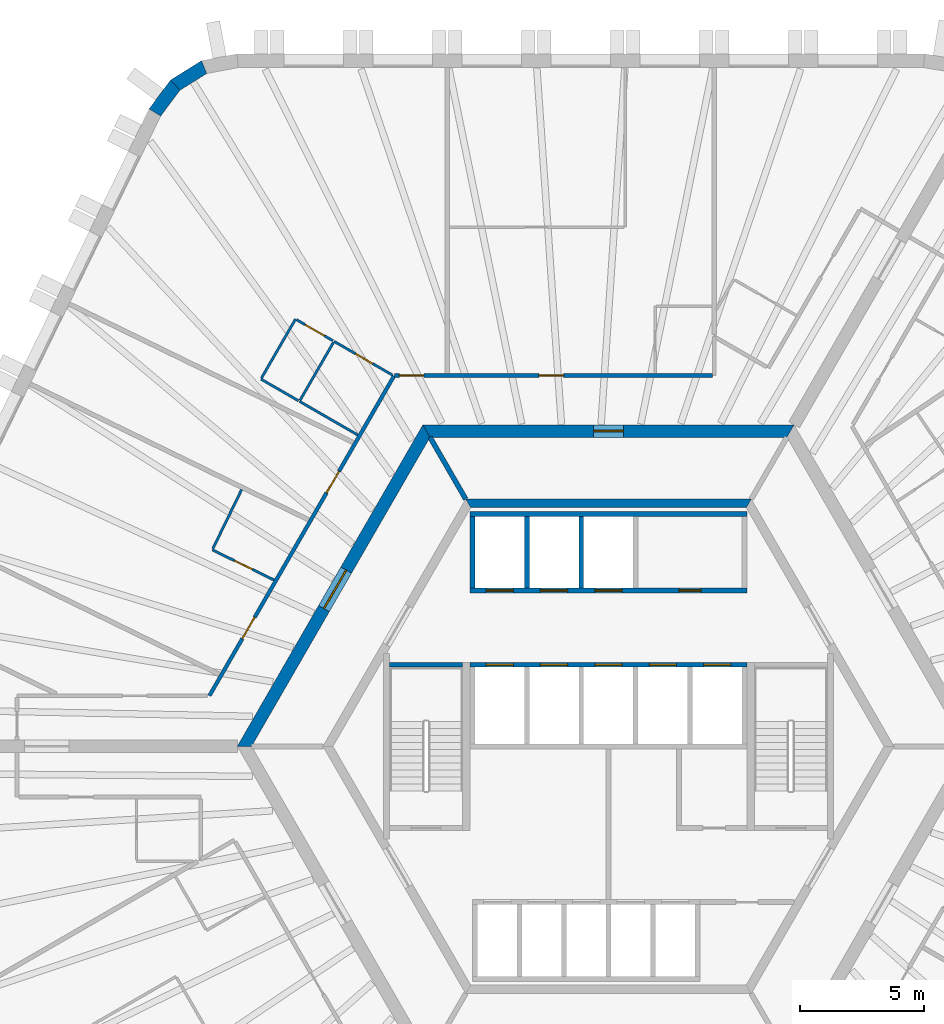
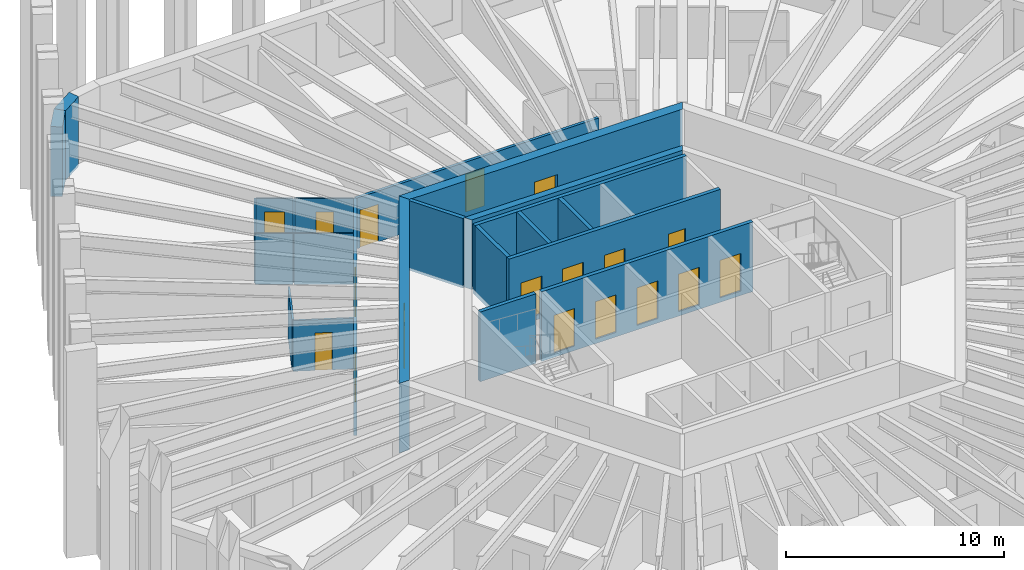
# One storey, part 7 of 10: 23 walls, 18 doors, 18 openings.
"""IFC4 building model written with IfcOpenShell, lengths in metres."""

from ifc_helpers import new_model, si_unit, direction, frame, frame_2d, origin, place, context, subcontext, project, spatial, polyline, rectangle, outline, extrude, material, layer, layer_set, type_object, element, fill, save


model = new_model("IFC4")

# Units and contexts
model_context = context("Model", 3, precision=1e-05, world=origin(), true_north=direction((0.0, 1.0)))
body_context = subcontext(model_context, "Body", "Model", "MODEL_VIEW")
ifc_project = project(units=[si_unit("LENGTHUNIT", "METRE"), si_unit("AREAUNIT", "SQUARE_METRE"), si_unit("VOLUMEUNIT", "CUBIC_METRE"), si_unit("PLANEANGLEUNIT", "RADIAN"), si_unit("MASSUNIT", "GRAM", prefix="KILO")], contexts=[model_context])

# Site, building, storey
site_placement = place(None, origin())
site = spatial("IfcSite", under=ifc_project, at=site_placement, CompositionType="ELEMENT")
building_placement = place(site_placement, origin())
building = spatial("IfcBuilding", under=site, at=building_placement, Name="Tarnside Tower", CompositionType="ELEMENT")
storey_placement = place(building_placement, frame((0.0, 0.0, 238.5)))
storey = spatial("IfcBuildingStorey", under=building, at=storey_placement, Name="L57", CompositionType="ELEMENT", Elevation=238.5)

# Wall
ifc_material_1 = material(Name="Gypsum board partition on steel studs", Category="steel")
ifc_layer_1 = layer(ifc_material_1, 0.10009765625)
ifc_layer_set_1 = layer_set([ifc_layer_1], Name="Bathroom wall 100")
wall_type_1 = type_object("IfcWallType", Name="Bathroom wall 100", PredefinedType="PARTITIONING", material=ifc_layer_set_1)
wall_1_placement = place(storey_placement, frame((-10.137939453125, 12.5908203125, 0.0), z_axis=(0.0, 0.0, 1.0), x_axis=(-0.866051307416, 0.49995513091, 0.0)))
element("IfcWall", 1, at=wall_1_placement, inside=storey, type_object=wall_type_1, Name="Bathroom wall 19062", PredefinedType="PARTITIONING", context=body_context, shape_type="SweptSolid", body=[
    extrude(rectangle(XDim=2.724853515625, YDim=0.10009765625, at=frame_2d((1.3623046875, 0.0))), origin(), (0.0, 0.0, 1.0), 2.837890625),
])

# Wall, opening, door
wall_2_placement = place(storey_placement, frame((-11.09765625, 16.378173828125, 0.0), z_axis=(0.0, 0.0, 1.0), x_axis=(0.866012511928, -0.500022328685, 0.0)))
wall_2 = element("IfcWall", 2, at=wall_2_placement, inside=storey, type_object=wall_type_1, Name="Bathroom wall 19063", PredefinedType="PARTITIONING", context=body_context, shape_type="SweptSolid", body=[
    extrude(rectangle(XDim=2.72509765625, YDim=0.10009765625, at=frame_2d((1.362548828125, 0.0))), origin(), (0.0, 0.0, 1.0), 2.837890625),
])
opening_1_placement = place(wall_2_placement, frame((1.0, 0.0, 0.0)))
opening_1 = element("IfcOpeningElement", 3, at=opening_1_placement, cuts=wall_2, Name="Opening D-B1", PredefinedType="OPENING", context=body_context, shape_type="SweptSolid", body=[
    extrude(rectangle(XDim=0.800048828125, YDim=2.10009765625, at=frame_2d((0.39990234375, 1.050048828125))), frame((0.0, 0.06005859375, 0.0), z_axis=(0.0, -1.0, 0.0), x_axis=(1.0, 0.0, 0.0)), (0.0, 0.0, 1.0), 0.1201171875),
])
ifc_material_2 = material(Name="Timber door leaf", Category="wood")
door_type_1 = type_object("IfcDoorType", Name="Bathroom door 800", OperationType="NOTDEFINED", PredefinedType="DOOR", material=ifc_material_2)
door_1_placement = place(opening_1_placement, origin())
door_1 = element("IfcDoor", 4, at=door_1_placement, inside=storey, type_object=door_type_1, Name="Bathroom door 19007", OperationType="SINGLE_SWING_LEFT", OverallHeight=2.10009765625, OverallWidth=0.800048828125, PredefinedType="DOOR", context=body_context, shape_type="SweptSolid", body=[
    extrude(rectangle(XDim=0.800048828125, YDim=2.10009765625, at=frame_2d((0.39990234375, 1.050048828125))), frame((0.0, 0.02490234375, 0.0), z_axis=(0.0, -1.0, 0.0), x_axis=(1.0, 0.0, 0.0)), (0.0, 0.0, 1.0), 0.050048828125),
])
fill(opening_1, door_1)

# Wall
wall_3_placement = place(storey_placement, frame((-11.122802734375, 16.334716796875, 0.0), z_axis=(0.0, 0.0, 1.0), x_axis=(-0.499980770555, -0.866036505625, 0.0)))
element("IfcWall", 5, at=wall_3_placement, inside=storey, type_object=wall_type_1, Name="Bathroom wall 19068", PredefinedType="PARTITIONING", context=body_context, shape_type="SweptSolid", body=[
    extrude(rectangle(XDim=2.69970703125, YDim=0.10009765625, at=frame_2d((1.349853515625, 0.0))), origin(), (0.0, 0.0, 1.0), 2.837890625),
])

# Wall, opening, door
wall_4_placement = place(storey_placement, frame((-13.523193359375, 6.72705078125, 0.0), z_axis=(0.0, 0.0, 1.0), x_axis=(-0.89880809785, 0.438342335668, 0.0)))
wall_4 = element("IfcWall", 6, at=wall_4_placement, inside=storey, type_object=wall_type_1, Name="Bathroom wall 19071", PredefinedType="PARTITIONING", context=body_context, shape_type="SweptSolid", body=[
    extrude(rectangle(XDim=2.781005859375, YDim=0.10009765625, at=frame_2d((1.390625, 0.0))), origin(), (0.0, 0.0, 1.0), 2.837890625),
])
opening_2_placement = place(wall_4_placement, frame((0.980712890625, 0.0, 0.0)))
opening_2 = element("IfcOpeningElement", 7, at=opening_2_placement, cuts=wall_4, Name="Opening D-B1", PredefinedType="OPENING", context=body_context, shape_type="SweptSolid", body=[
    extrude(rectangle(XDim=0.800048828125, YDim=2.10009765625, at=frame_2d((0.39990234375, 1.050048828125))), frame((0.0, 0.06005859375, 0.0), z_axis=(0.0, -1.0, 0.0), x_axis=(1.0, 0.0, 0.0)), (0.0, 0.0, 1.0), 0.1201171875),
])
door_2_placement = place(opening_2_placement, origin())
door_2 = element("IfcDoor", 8, at=door_2_placement, inside=storey, type_object=door_type_1, Name="Bathroom door 19011", OperationType="SINGLE_SWING_RIGHT", OverallHeight=2.10009765625, OverallWidth=0.800048828125, PredefinedType="DOOR", context=body_context, shape_type="SweptSolid", body=[
    extrude(rectangle(XDim=0.800048828125, YDim=2.10009765625, at=frame_2d((0.39990234375, 1.050048828125))), frame((0.0, 0.02490234375, 0.0), z_axis=(0.0, -1.0, 0.0), x_axis=(1.0, 0.0, 0.0)), (0.0, 0.0, 1.0), 0.050048828125),
])
fill(opening_2, door_2)

# Walls
wall_5_placement = place(storey_placement, frame((-16.000732421875, 7.990966796875, 0.0), z_axis=(0.0, 0.0, 1.0), x_axis=(0.438344066549, 0.89880725371, 0.0)))
element("IfcWall", 9, at=wall_5_placement, inside=storey, type_object=wall_type_1, Name="Bathroom wall 19072", PredefinedType="PARTITIONING", context=body_context, shape_type="SweptSolid", body=[
    extrude(rectangle(XDim=2.66015625, YDim=0.10009765625, at=frame_2d((1.330078125, 0.0))), origin(), (0.0, 0.0, 1.0), 2.837890625),
])
ifc_material_3 = material(Name="Concrete C50/60", Category="concrete")
ifc_layer_2 = layer(ifc_material_3, 0.35009765625)
ifc_layer_set_2 = layer_set([ifc_layer_2], Name="Core block wall 350 C50/60")
wall_type_2 = type_object("IfcWallType", Name="Core block wall 350 C50/60", PredefinedType="SHEAR", material=ifc_layer_set_2)
wall_6_placement = place(storey_placement, frame((5.672607421875, 9.824951171875, -0.14990234375), z_axis=(0.0, 0.0, 1.0), x_axis=(-1.0, 0.0, 0.0)))
element("IfcWall", 10, at=wall_6_placement, inside=storey, type_object=wall_type_2, Name="L57 core block wall face 1", PredefinedType="SHEAR", context=body_context, shape_type="SweptSolid", body=[
    extrude(outline(polyline([(-0.10107421875, -0.175048828125), (11.4462890625, -0.175048828125), (11.244140625, 0.175048828125), (0.10107421875, 0.175048828125), (-0.10107421875, -0.175048828125)])), origin(), (0.0, 0.0, 1.0), 3.89990234375),
])

# Wall, opening, door
ifc_material_4 = material(Name="Concrete C70/85", Category="concrete")
ifc_layer_3 = layer(ifc_material_4, 0.5)
ifc_layer_set_3 = layer_set([ifc_layer_3], Name="Core wall Z2 500 C70/85")
wall_type_3 = type_object("IfcWallType", Name="Core wall Z2 500 C70/85", PredefinedType="SHEAR", material=ifc_layer_set_3)
wall_7_placement = place(storey_placement, frame((-7.361083984375, 12.75, -0.14990234375), z_axis=(0.0, 0.0, 1.0), x_axis=(-0.50000571537, -0.866022103989, 0.0)))
wall_7 = element("IfcWall", 11, at=wall_7_placement, inside=storey, type_object=wall_type_3, Name="L57 core wall face 2", PredefinedType="SHEAR", context=body_context, shape_type="SweptSolid", body=[
    extrude(outline(polyline([(-0.144287109375, -0.25), (14.86669921875, -0.25), (14.578125, 0.25), (0.144287109375, 0.25), (-0.144287109375, -0.25)])), origin(), (0.0, 0.0, 1.0), 3.89990234375),
])
opening_3_placement = place(wall_7_placement, frame((6.489990234375, 0.0, 0.14990234375)))
opening_3 = element("IfcOpeningElement", 12, at=opening_3_placement, cuts=wall_7, Name="Opening CD-LOB", PredefinedType="OPENING", context=body_context, shape_type="SweptSolid", body=[
    extrude(rectangle(XDim=1.800048828125, YDim=2.39990234375, at=frame_2d((0.89990234375, 1.199951171875))), frame((0.0, 0.260009765625, 0.0), z_axis=(0.0, -1.0, 0.0), x_axis=(1.0, 0.0, 0.0)), (0.0, 0.0, 1.0), 0.52001953125),
])
ifc_material_5 = material(Name="Steel fire door", Category="steel")
door_type_2 = type_object("IfcDoorType", Name="Lobby double door FD30S 1800x2400", OperationType="NOTDEFINED", PredefinedType="DOOR", material=ifc_material_5)
door_3_placement = place(opening_3_placement, origin())
door_3 = element("IfcDoor", 13, at=door_3_placement, inside=storey, type_object=door_type_2, Name="L57 core door P1", OperationType="DOUBLE_DOOR_SINGLE_SWING", OverallHeight=2.39990234375, OverallWidth=1.800048828125, PredefinedType="DOOR", context=body_context, shape_type="SweptSolid", body=[
    extrude(rectangle(XDim=1.800048828125, YDim=2.39990234375, at=frame_2d((0.89990234375, 1.199951171875))), frame((0.0, 0.02490234375, 0.0), z_axis=(0.0, -1.0, 0.0), x_axis=(1.0, 0.0, 0.0)), (0.0, 0.0, 1.0), 0.050048828125),
])
fill(opening_3, door_3)

wall_8_placement = place(storey_placement, frame((7.361083984375, 12.75, -0.14990234375), z_axis=(0.0, 0.0, 1.0), x_axis=(-1.0, 0.0, 0.0)))
wall_8 = element("IfcWall", 14, at=wall_8_placement, inside=storey, type_object=wall_type_3, Name="L57 core wall face 1", PredefinedType="SHEAR", context=body_context, shape_type="SweptSolid", body=[
    extrude(outline(polyline([(-0.144287109375, -0.25), (14.866455078125, -0.25), (14.577880859375, 0.25), (0.144287109375, 0.25), (-0.144287109375, -0.25)])), origin(), (0.0, 0.0, 1.0), 3.89990234375),
])
opening_4_placement = place(wall_8_placement, frame((6.76123046875, 0.0, 0.14990234375)))
opening_4 = element("IfcOpeningElement", 15, at=opening_4_placement, cuts=wall_8, Name="Opening CD-RSR", PredefinedType="OPENING", context=body_context, shape_type="SweptSolid", body=[
    extrude(rectangle(XDim=1.199951171875, YDim=2.39990234375, at=frame_2d((0.60009765625, 1.199951171875))), frame((0.0, 0.260009765625, 0.0), z_axis=(0.0, -1.0, 0.0), x_axis=(1.0, 0.0, 0.0)), (0.0, 0.0, 1.0), 0.52001953125),
])
door_type_3 = type_object("IfcDoorType", Name="Riser door FD60 1200x2400", OperationType="NOTDEFINED", PredefinedType="DOOR", material=ifc_material_5)
door_4_placement = place(opening_4_placement, origin())
door_4 = element("IfcDoor", 16, at=door_4_placement, inside=storey, type_object=door_type_3, Name="L57 core door S5", OperationType="SINGLE_SWING_LEFT", OverallHeight=2.39990234375, OverallWidth=1.199951171875, PredefinedType="DOOR", context=body_context, shape_type="SweptSolid", body=[
    extrude(rectangle(XDim=1.199951171875, YDim=2.39990234375, at=frame_2d((0.60009765625, 1.199951171875))), frame((0.0, 0.02490234375, 0.0), z_axis=(0.0, -1.0, 0.0), x_axis=(1.0, 0.0, 0.0)), (0.0, 0.0, 1.0), 0.050048828125),
])
fill(opening_4, door_4)

# Wall, openings, doors
ifc_layer_4 = layer(ifc_material_1, 0.14990234375)
ifc_layer_set_4 = layer_set([ifc_layer_4], Name="Corridor wall 150 EI 60")
wall_type_4 = type_object("IfcWallType", Name="Corridor wall 150 EI 60", PredefinedType="PARTITIONING", material=ifc_layer_set_4)
wall_9_placement = place(storey_placement, frame((4.20703125, 15.0, 0.0), z_axis=(0.0, 0.0, 1.0), x_axis=(-1.0, 0.0, 0.0)))
wall_9 = element("IfcWall", 17, at=wall_9_placement, inside=storey, type_object=wall_type_4, Name="Corridor wall 19005", PredefinedType="PARTITIONING", context=body_context, shape_type="SweptSolid", body=[
    extrude(rectangle(XDim=12.8671875, YDim=0.14990234375, at=frame_2d((6.43359375, 0.0))), origin(), (0.0, 0.0, 1.0), 2.837890625),
])
opening_5_placement = place(wall_9_placement, frame((6.02490234375, 0.0, 0.0)))
opening_5 = element("IfcOpeningElement", 18, at=opening_5_placement, cuts=wall_9, Name="Opening D-E1", PredefinedType="OPENING", context=body_context, shape_type="SweptSolid", body=[
    extrude(rectangle(XDim=1.0, YDim=2.10009765625, at=frame_2d((0.5, 1.050048828125))), frame((0.0, 0.0849609375, 0.0), z_axis=(0.0, -1.0, 0.0), x_axis=(1.0, 0.0, 0.0)), (0.0, 0.0, 1.0), 0.169921875),
])
opening_6_placement = place(wall_9_placement, frame((11.66748046875, 0.0, 0.0)))
opening_6 = element("IfcOpeningElement", 19, at=opening_6_placement, cuts=wall_9, Name="Opening D-E1", PredefinedType="OPENING", context=body_context, shape_type="SweptSolid", body=[
    extrude(rectangle(XDim=1.0, YDim=2.10009765625, at=frame_2d((0.5, 1.050048828125))), frame((0.0, 0.0849609375, 0.0), z_axis=(0.0, -1.0, 0.0), x_axis=(1.0, 0.0, 0.0)), (0.0, 0.0, 1.0), 0.169921875),
])
door_type_4 = type_object("IfcDoorType", Name="Unit entrance door 1000 FD30S", OperationType="NOTDEFINED", PredefinedType="DOOR", material=ifc_material_2)
door_5_placement = place(opening_5_placement, origin())
door_5 = element("IfcDoor", 20, at=door_5_placement, inside=storey, type_object=door_type_4, Name="Unit door 19003", OperationType="SINGLE_SWING_RIGHT", OverallHeight=2.10009765625, OverallWidth=1.0, PredefinedType="DOOR", context=body_context, shape_type="SweptSolid", body=[
    extrude(rectangle(XDim=1.0, YDim=2.10009765625, at=frame_2d((0.5, 1.050048828125))), frame((0.0, 0.02490234375, 0.0), z_axis=(0.0, -1.0, 0.0), x_axis=(1.0, 0.0, 0.0)), (0.0, 0.0, 1.0), 0.050048828125),
])
fill(opening_5, door_5)
door_6_placement = place(opening_6_placement, origin())
door_6 = element("IfcDoor", 21, at=door_6_placement, inside=storey, type_object=door_type_4, Name="Unit door 19006", OperationType="SINGLE_SWING_LEFT", OverallHeight=2.10009765625, OverallWidth=1.0, PredefinedType="DOOR", context=body_context, shape_type="SweptSolid", body=[
    extrude(rectangle(XDim=1.0, YDim=2.10009765625, at=frame_2d((0.5, 1.050048828125))), frame((0.0, 0.02490234375, 0.0), z_axis=(0.0, -1.0, 0.0), x_axis=(1.0, 0.0, 0.0)), (0.0, 0.0, 1.0), 0.050048828125),
])
fill(opening_6, door_6)

wall_10_placement = place(storey_placement, frame((-8.6728515625, 14.97802734375, 0.0), z_axis=(0.0, 0.0, 1.0), x_axis=(-0.50000700621, -0.86602135871, 0.0)))
wall_10 = element("IfcWall", 22, at=wall_10_placement, inside=storey, type_object=wall_type_4, Name="Corridor wall 19008", PredefinedType="PARTITIONING", context=body_context, shape_type="SweptSolid", body=[
    extrude(rectangle(XDim=14.927978515625, YDim=0.14990234375, at=frame_2d((7.4638671875, 0.0))), origin(), (0.0, 0.0, 1.0), 2.837890625),
])
opening_7_placement = place(wall_10_placement, frame((4.454345703125, 0.0, 0.0)))
opening_7 = element("IfcOpeningElement", 23, at=opening_7_placement, cuts=wall_10, Name="Opening D-E1", PredefinedType="OPENING", context=body_context, shape_type="SweptSolid", body=[
    extrude(rectangle(XDim=1.0, YDim=2.10009765625, at=frame_2d((0.5, 1.050048828125))), frame((0.0, 0.0849609375, 0.0), z_axis=(0.0, -1.0, 0.0), x_axis=(1.0, 0.0, 0.0)), (0.0, 0.0, 1.0), 0.169921875),
])
opening_8_placement = place(wall_10_placement, frame((11.26416015625, 0.0, 0.0)))
opening_8 = element("IfcOpeningElement", 24, at=opening_8_placement, cuts=wall_10, Name="Opening D-E1", PredefinedType="OPENING", context=body_context, shape_type="SweptSolid", body=[
    extrude(rectangle(XDim=1.0, YDim=2.10009765625, at=frame_2d((0.5, 1.050048828125))), frame((0.0, 0.0849609375, 0.0), z_axis=(0.0, -1.0, 0.0), x_axis=(1.0, 0.0, 0.0)), (0.0, 0.0, 1.0), 0.169921875),
])
door_7_placement = place(opening_7_placement, origin())
door_7 = element("IfcDoor", 25, at=door_7_placement, inside=storey, type_object=door_type_4, Name="Unit door 19009", OperationType="SINGLE_SWING_LEFT", OverallHeight=2.10009765625, OverallWidth=1.0, PredefinedType="DOOR", context=body_context, shape_type="SweptSolid", body=[
    extrude(rectangle(XDim=1.0, YDim=2.10009765625, at=frame_2d((0.5, 1.050048828125))), frame((0.0, 0.02490234375, 0.0), z_axis=(0.0, -1.0, 0.0), x_axis=(1.0, 0.0, 0.0)), (0.0, 0.0, 1.0), 0.050048828125),
])
fill(opening_7, door_7)
door_8_placement = place(opening_8_placement, origin())
door_8 = element("IfcDoor", 26, at=door_8_placement, inside=storey, type_object=door_type_4, Name="Unit door 19010", OperationType="SINGLE_SWING_LEFT", OverallHeight=2.10009765625, OverallWidth=1.0, PredefinedType="DOOR", context=body_context, shape_type="SweptSolid", body=[
    extrude(rectangle(XDim=1.0, YDim=2.10009765625, at=frame_2d((0.5, 1.050048828125))), frame((0.0, 0.02490234375, 0.0), z_axis=(0.0, -1.0, 0.0), x_axis=(1.0, 0.0, 0.0)), (0.0, 0.0, 1.0), 0.050048828125),
])
fill(opening_8, door_8)

ifc_material_6 = material(Name="Concrete C40/50", Category="concrete")
ifc_layer_5 = layer(ifc_material_6, 0.199951171875)
ifc_layer_set_5 = layer_set([ifc_layer_5], Name="Lift shaft wall 200 C40/50")
wall_type_5 = type_object("IfcWallType", Name="Lift shaft wall 200 C40/50", PredefinedType="SHEAR", material=ifc_layer_set_5)
wall_11_placement = place(storey_placement, frame((-5.60009765625, 6.300048828125, -0.25), z_axis=(0.0, 0.0, 1.0), x_axis=(1.0, 0.0, 0.0)))
wall_11 = element("IfcWall", 27, at=wall_11_placement, inside=storey, type_object=wall_type_5, Name="L57 lift shaft front wall R1", PredefinedType="SHEAR", context=body_context, shape_type="SweptSolid", body=[
    extrude(rectangle(XDim=11.2001953125, YDim=0.199951171875, at=frame_2d((5.60009765625, 0.0))), origin(), (0.0, 0.0, 1.0), 3.89990234375),
])
opening_9_placement = place(wall_11_placement, frame((8.449951171875, 0.0, 0.25)))
opening_9 = element("IfcOpeningElement", 28, at=opening_9_placement, cuts=wall_11, Name="Opening CD-room", PredefinedType="OPENING", context=body_context, shape_type="SweptSolid", body=[
    extrude(rectangle(XDim=0.89990234375, YDim=2.10009765625, at=frame_2d((0.449951171875, 1.050048828125))), frame((0.0, 0.10986328125, 0.0), z_axis=(0.0, -1.0, 0.0), x_axis=(1.0, 0.0, 0.0)), (0.0, 0.0, 1.0), 0.219970703125),
])
opening_10_placement = place(wall_11_placement, frame((0.64990234375, 0.0, 0.25)))
opening_10 = element("IfcOpeningElement", 29, at=opening_10_placement, cuts=wall_11, Name="Opening LD", PredefinedType="OPENING", context=body_context, shape_type="SweptSolid", body=[
    extrude(rectangle(XDim=1.10009765625, YDim=2.10009765625, at=frame_2d((0.550048828125, 1.050048828125))), frame((0.0, 0.10986328125, 0.0), z_axis=(0.0, -1.0, 0.0), x_axis=(1.0, 0.0, 0.0)), (0.0, 0.0, 1.0), 0.219970703125),
])
opening_11_placement = place(wall_11_placement, frame((2.85009765625, 0.0, 0.25)))
opening_11 = element("IfcOpeningElement", 30, at=opening_11_placement, cuts=wall_11, Name="Opening LD", PredefinedType="OPENING", context=body_context, shape_type="SweptSolid", body=[
    extrude(rectangle(XDim=1.10009765625, YDim=2.10009765625, at=frame_2d((0.550048828125, 1.050048828125))), frame((0.0, 0.10986328125, 0.0), z_axis=(0.0, -1.0, 0.0), x_axis=(1.0, 0.0, 0.0)), (0.0, 0.0, 1.0), 0.219970703125),
])
opening_12_placement = place(wall_11_placement, frame((5.050048828125, 0.0, 0.25)))
opening_12 = element("IfcOpeningElement", 31, at=opening_12_placement, cuts=wall_11, Name="Opening LD", PredefinedType="OPENING", context=body_context, shape_type="SweptSolid", body=[
    extrude(rectangle(XDim=1.10009765625, YDim=2.10009765625, at=frame_2d((0.550048828125, 1.050048828125))), frame((0.0, 0.10986328125, 0.0), z_axis=(0.0, -1.0, 0.0), x_axis=(1.0, 0.0, 0.0)), (0.0, 0.0, 1.0), 0.219970703125),
])
ifc_material_7 = material(Name="Stainless steel", Category="steel")
door_type_5 = type_object("IfcDoorType", Name="Lift landing door 1100x2100", OperationType="NOTDEFINED", PredefinedType="DOOR", material=ifc_material_7)
door_9_placement = place(opening_10_placement, origin())
door_9 = element("IfcDoor", 32, at=door_9_placement, inside=storey, type_object=door_type_5, Name="Mid-rise lift 1 landing door L57", OperationType="SLIDING_TO_LEFT", OverallHeight=2.10009765625, OverallWidth=1.10009765625, PredefinedType="DOOR", context=body_context, shape_type="SweptSolid", body=[
    extrude(rectangle(XDim=1.10009765625, YDim=2.10009765625, at=frame_2d((0.550048828125, 1.050048828125))), frame((0.0, 0.02490234375, 0.0), z_axis=(0.0, -1.0, 0.0), x_axis=(1.0, 0.0, 0.0)), (0.0, 0.0, 1.0), 0.050048828125),
])
fill(opening_10, door_9)
door_10_placement = place(opening_11_placement, origin())
door_10 = element("IfcDoor", 33, at=door_10_placement, inside=storey, type_object=door_type_5, Name="Mid-rise lift 2 landing door L57", OperationType="SLIDING_TO_LEFT", OverallHeight=2.10009765625, OverallWidth=1.10009765625, PredefinedType="DOOR", context=body_context, shape_type="SweptSolid", body=[
    extrude(rectangle(XDim=1.10009765625, YDim=2.10009765625, at=frame_2d((0.550048828125, 1.050048828125))), frame((0.0, 0.02490234375, 0.0), z_axis=(0.0, -1.0, 0.0), x_axis=(1.0, 0.0, 0.0)), (0.0, 0.0, 1.0), 0.050048828125),
])
fill(opening_11, door_10)
door_11_placement = place(opening_12_placement, origin())
door_11 = element("IfcDoor", 34, at=door_11_placement, inside=storey, type_object=door_type_5, Name="Mid-rise lift 3 landing door L57", OperationType="SLIDING_TO_LEFT", OverallHeight=2.10009765625, OverallWidth=1.10009765625, PredefinedType="DOOR", context=body_context, shape_type="SweptSolid", body=[
    extrude(rectangle(XDim=1.10009765625, YDim=2.10009765625, at=frame_2d((0.550048828125, 1.050048828125))), frame((0.0, 0.02490234375, 0.0), z_axis=(0.0, -1.0, 0.0), x_axis=(1.0, 0.0, 0.0)), (0.0, 0.0, 1.0), 0.050048828125),
])
fill(opening_12, door_11)
door_type_6 = type_object("IfcDoorType", Name="Room door FD60 900x2100", OperationType="NOTDEFINED", PredefinedType="DOOR", material=ifc_material_5)
door_12_placement = place(opening_9_placement, origin())
door_12 = element("IfcDoor", 35, at=door_12_placement, inside=storey, type_object=door_type_6, Name="L57 core room door FC1", OperationType="SINGLE_SWING_LEFT", OverallHeight=2.10009765625, OverallWidth=0.89990234375, PredefinedType="DOOR", context=body_context, shape_type="SweptSolid", body=[
    extrude(rectangle(XDim=0.89990234375, YDim=2.10009765625, at=frame_2d((0.449951171875, 1.050048828125))), frame((0.0, 0.02490234375, 0.0), z_axis=(0.0, -1.0, 0.0), x_axis=(1.0, 0.0, 0.0)), (0.0, 0.0, 1.0), 0.050048828125),
])
fill(opening_9, door_12)

# Walls
wall_12_placement = place(storey_placement, frame((-5.60009765625, 9.39990234375, -0.25), z_axis=(0.0, 0.0, 1.0), x_axis=(1.0, 0.0, 0.0)))
element("IfcWall", 36, at=wall_12_placement, inside=storey, type_object=wall_type_5, Name="L57 lift shaft back wall R1", PredefinedType="SHEAR", context=body_context, shape_type="SweptSolid", body=[
    extrude(rectangle(XDim=11.2001953125, YDim=0.199951171875, at=frame_2d((5.60009765625, 0.0))), origin(), (0.0, 0.0, 1.0), 3.89990234375),
])
for number, where, z_axis, x_axis, name in (
    (37, (-5.5, 6.39990234375, -0.25), (0.0, 0.0, 1.0), (0.0, 1.0, 0.0), "L57 lift shaft partition R11"),
    (38, (-3.300048828125, 6.39990234375, -0.25), (0.0, 0.0, 1.0), (0.0, 1.0, 0.0), "L57 lift shaft partition R12"),
    (39, (-1.10009765625, 6.39990234375, -0.25), (0.0, 0.0, 1.0), (0.0, 1.0, 0.0), "L57 lift shaft partition R13"),
):
    element("IfcWall", number, at=place(storey_placement, frame(where, z_axis=z_axis, x_axis=x_axis)), inside=storey, type_object=wall_type_5, Name=name, PredefinedType="SHEAR", context=body_context, shape_type="SweptSolid", body=[
        extrude(rectangle(XDim=2.900146484375, YDim=0.199951171875, at=frame_2d((1.4501953125, 0.0))), origin(), (0.0, 0.0, 1.0), 3.89990234375),
    ])

# Wall, openings, doors
wall_13_placement = place(storey_placement, frame((-5.60009765625, 3.300048828125, -0.25), z_axis=(0.0, 0.0, 1.0), x_axis=(1.0, 0.0, 0.0)))
wall_13 = element("IfcWall", 40, at=wall_13_placement, inside=storey, type_object=wall_type_5, Name="L57 lift shaft front wall R2", PredefinedType="SHEAR", context=body_context, shape_type="SweptSolid", body=[
    extrude(rectangle(XDim=11.2001953125, YDim=0.199951171875, at=frame_2d((5.60009765625, 0.0))), origin(), (0.0, 0.0, 1.0), 3.89990234375),
])
opening_13_placement = place(wall_13_placement, frame((0.64990234375, 0.0, 0.25)))
opening_13 = element("IfcOpeningElement", 41, at=opening_13_placement, cuts=wall_13, Name="Opening LD", PredefinedType="OPENING", context=body_context, shape_type="SweptSolid", body=[
    extrude(rectangle(XDim=1.10009765625, YDim=2.10009765625, at=frame_2d((0.550048828125, 1.050048828125))), frame((0.0, 0.10986328125, 0.0), z_axis=(0.0, -1.0, 0.0), x_axis=(1.0, 0.0, 0.0)), (0.0, 0.0, 1.0), 0.219970703125),
])
opening_14_placement = place(wall_13_placement, frame((2.85009765625, 0.0, 0.25)))
opening_14 = element("IfcOpeningElement", 42, at=opening_14_placement, cuts=wall_13, Name="Opening LD", PredefinedType="OPENING", context=body_context, shape_type="SweptSolid", body=[
    extrude(rectangle(XDim=1.10009765625, YDim=2.10009765625, at=frame_2d((0.550048828125, 1.050048828125))), frame((0.0, 0.10986328125, 0.0), z_axis=(0.0, -1.0, 0.0), x_axis=(1.0, 0.0, 0.0)), (0.0, 0.0, 1.0), 0.219970703125),
])
opening_15_placement = place(wall_13_placement, frame((5.050048828125, 0.0, 0.25)))
opening_15 = element("IfcOpeningElement", 43, at=opening_15_placement, cuts=wall_13, Name="Opening LD", PredefinedType="OPENING", context=body_context, shape_type="SweptSolid", body=[
    extrude(rectangle(XDim=1.10009765625, YDim=2.10009765625, at=frame_2d((0.550048828125, 1.050048828125))), frame((0.0, 0.10986328125, 0.0), z_axis=(0.0, -1.0, 0.0), x_axis=(1.0, 0.0, 0.0)), (0.0, 0.0, 1.0), 0.219970703125),
])
opening_16_placement = place(wall_13_placement, frame((7.25, 0.0, 0.25)))
opening_16 = element("IfcOpeningElement", 44, at=opening_16_placement, cuts=wall_13, Name="Opening LD", PredefinedType="OPENING", context=body_context, shape_type="SweptSolid", body=[
    extrude(rectangle(XDim=1.10009765625, YDim=2.10009765625, at=frame_2d((0.550048828125, 1.050048828125))), frame((0.0, 0.10986328125, 0.0), z_axis=(0.0, -1.0, 0.0), x_axis=(1.0, 0.0, 0.0)), (0.0, 0.0, 1.0), 0.219970703125),
])
opening_17_placement = place(wall_13_placement, frame((9.449951171875, 0.0, 0.25)))
opening_17 = element("IfcOpeningElement", 45, at=opening_17_placement, cuts=wall_13, Name="Opening LD", PredefinedType="OPENING", context=body_context, shape_type="SweptSolid", body=[
    extrude(rectangle(XDim=1.10009765625, YDim=2.10009765625, at=frame_2d((0.550048828125, 1.050048828125))), frame((0.0, 0.10986328125, 0.0), z_axis=(0.0, -1.0, 0.0), x_axis=(1.0, 0.0, 0.0)), (0.0, 0.0, 1.0), 0.219970703125),
])
door_13_placement = place(opening_13_placement, origin())
door_13 = element("IfcDoor", 46, at=door_13_placement, inside=storey, type_object=door_type_5, Name="Mid-rise lift 4 landing door L57", OperationType="SLIDING_TO_LEFT", OverallHeight=2.10009765625, OverallWidth=1.10009765625, PredefinedType="DOOR", context=body_context, shape_type="SweptSolid", body=[
    extrude(rectangle(XDim=1.10009765625, YDim=2.10009765625, at=frame_2d((0.550048828125, 1.050048828125))), frame((0.0, 0.02490234375, 0.0), z_axis=(0.0, -1.0, 0.0), x_axis=(1.0, 0.0, 0.0)), (0.0, 0.0, 1.0), 0.050048828125),
])
fill(opening_13, door_13)
door_14_placement = place(opening_14_placement, origin())
door_14 = element("IfcDoor", 47, at=door_14_placement, inside=storey, type_object=door_type_5, Name="Mid-rise lift 5 landing door L57", OperationType="SLIDING_TO_LEFT", OverallHeight=2.10009765625, OverallWidth=1.10009765625, PredefinedType="DOOR", context=body_context, shape_type="SweptSolid", body=[
    extrude(rectangle(XDim=1.10009765625, YDim=2.10009765625, at=frame_2d((0.550048828125, 1.050048828125))), frame((0.0, 0.02490234375, 0.0), z_axis=(0.0, -1.0, 0.0), x_axis=(1.0, 0.0, 0.0)), (0.0, 0.0, 1.0), 0.050048828125),
])
fill(opening_14, door_14)
door_15_placement = place(opening_15_placement, origin())
door_15 = element("IfcDoor", 48, at=door_15_placement, inside=storey, type_object=door_type_5, Name="Mid-rise lift 6 landing door L57", OperationType="SLIDING_TO_LEFT", OverallHeight=2.10009765625, OverallWidth=1.10009765625, PredefinedType="DOOR", context=body_context, shape_type="SweptSolid", body=[
    extrude(rectangle(XDim=1.10009765625, YDim=2.10009765625, at=frame_2d((0.550048828125, 1.050048828125))), frame((0.0, 0.02490234375, 0.0), z_axis=(0.0, -1.0, 0.0), x_axis=(1.0, 0.0, 0.0)), (0.0, 0.0, 1.0), 0.050048828125),
])
fill(opening_15, door_15)
door_16_placement = place(opening_16_placement, origin())
door_16 = element("IfcDoor", 49, at=door_16_placement, inside=storey, type_object=door_type_5, Name="High sky-lobby shuttle 1 landing door L57", OperationType="SLIDING_TO_LEFT", OverallHeight=2.10009765625, OverallWidth=1.10009765625, PredefinedType="DOOR", context=body_context, shape_type="SweptSolid", body=[
    extrude(rectangle(XDim=1.10009765625, YDim=2.10009765625, at=frame_2d((0.550048828125, 1.050048828125))), frame((0.0, 0.02490234375, 0.0), z_axis=(0.0, -1.0, 0.0), x_axis=(1.0, 0.0, 0.0)), (0.0, 0.0, 1.0), 0.050048828125),
])
fill(opening_16, door_16)
door_17_placement = place(opening_17_placement, origin())
door_17 = element("IfcDoor", 50, at=door_17_placement, inside=storey, type_object=door_type_5, Name="Express sky-lobby shuttle 2 landing door L57", OperationType="SLIDING_TO_LEFT", OverallHeight=2.10009765625, OverallWidth=1.10009765625, PredefinedType="DOOR", context=body_context, shape_type="SweptSolid", body=[
    extrude(rectangle(XDim=1.10009765625, YDim=2.10009765625, at=frame_2d((0.550048828125, 1.050048828125))), frame((0.0, 0.02490234375, 0.0), z_axis=(0.0, -1.0, 0.0), x_axis=(1.0, 0.0, 0.0)), (0.0, 0.0, 1.0), 0.050048828125),
])
fill(opening_17, door_17)

# Walls
wall_14_placement = place(storey_placement, frame((-5.7734375, 10.0, -0.14990234375), z_axis=(0.0, 0.0, 1.0), x_axis=(-0.499995765644, 0.866027848477, 0.0)))
element("IfcWall", 51, at=wall_14_placement, inside=storey, type_object=wall_type_5, Name="L57 core partition AR120", PredefinedType="SHEAR", context=body_context, shape_type="SweptSolid", body=[
    extrude(rectangle(XDim=2.88671875, YDim=0.199951171875, at=frame_2d((1.443359375, 0.0))), origin(), (0.0, 0.0, 1.0), 3.89990234375),
])
wall_15_placement = place(storey_placement, frame((-8.85009765625, 3.300048828125, -0.25), z_axis=(0.0, 0.0, 1.0), x_axis=(1.0, 0.0, 0.0)))
element("IfcWall", 52, at=wall_15_placement, inside=storey, type_object=wall_type_5, Name="L57 stair 2 enclosure cap wall n", PredefinedType="SHEAR", context=body_context, shape_type="SweptSolid", body=[
    extrude(rectangle(XDim=2.9501953125, YDim=0.199951171875, at=frame_2d((1.47509765625, 0.0))), origin(), (0.0, 0.0, 1.0), 3.89990234375),
])
ifc_layer_6 = layer(ifc_material_1, 0.10009765625)
ifc_layer_set_6 = layer_set([ifc_layer_6], Name="Partition 100")
wall_type_6 = type_object("IfcWallType", Name="Partition 100", PredefinedType="PARTITIONING", material=ifc_layer_set_6)
wall_16_placement = place(storey_placement, frame((-12.541015625, 13.978271484375, 0.0), z_axis=(0.0, 0.0, 1.0), x_axis=(-0.866036909293, 0.499980071345, 0.0)))
element("IfcWall", 53, at=wall_16_placement, inside=storey, type_object=wall_type_6, Name="Partition wall 19064", PredefinedType="PARTITIONING", context=body_context, shape_type="SweptSolid", body=[
    extrude(rectangle(XDim=1.75, YDim=0.10009765625, at=frame_2d((0.875, 0.0))), origin(), (0.0, 0.0, 1.0), 2.837890625),
])
wall_17_placement = place(storey_placement, frame((-14.031494140625, 14.896484375, 0.0), z_axis=(0.0, 0.0, 1.0), x_axis=(0.499996545922, 0.866027397988, 0.0)))
element("IfcWall", 54, at=wall_17_placement, inside=storey, type_object=wall_type_6, Name="Partition wall 19065", PredefinedType="PARTITIONING", context=body_context, shape_type="SweptSolid", body=[
    extrude(rectangle(XDim=2.75, YDim=0.10009765625, at=frame_2d((1.375, 0.0))), origin(), (0.0, 0.0, 1.0), 2.837890625),
])

# Wall, opening, door
wall_18_placement = place(storey_placement, frame((-12.61328125, 17.253173828125, 0.0), z_axis=(0.0, 0.0, 1.0), x_axis=(0.865989465428, -0.500062241894, 0.0)))
wall_18 = element("IfcWall", 55, at=wall_18_placement, inside=storey, type_object=wall_type_6, Name="Partition wall 19066", PredefinedType="PARTITIONING", context=body_context, shape_type="SweptSolid", body=[
    extrude(rectangle(XDim=1.699951171875, YDim=0.10009765625, at=frame_2d((0.85009765625, 0.0))), origin(), (0.0, 0.0, 1.0), 2.837890625),
])
opening_18_placement = place(wall_18_placement, frame((0.39990234375, 0.0, 0.0)))
opening_18 = element("IfcOpeningElement", 56, at=opening_18_placement, cuts=wall_18, Name="Opening D-I1", PredefinedType="OPENING", context=body_context, shape_type="SweptSolid", body=[
    extrude(rectangle(XDim=0.89990234375, YDim=2.10009765625, at=frame_2d((0.449951171875, 1.050048828125))), frame((0.0, 0.06005859375, 0.0), z_axis=(0.0, -1.0, 0.0), x_axis=(1.0, 0.0, 0.0)), (0.0, 0.0, 1.0), 0.1201171875),
])
door_type_7 = type_object("IfcDoorType", Name="Internal door 900", OperationType="NOTDEFINED", PredefinedType="DOOR", material=ifc_material_2)
door_18_placement = place(opening_18_placement, origin())
door_18 = element("IfcDoor", 57, at=door_18_placement, inside=storey, type_object=door_type_7, Name="Internal door 19008", OperationType="SINGLE_SWING_LEFT", OverallHeight=2.10009765625, OverallWidth=0.89990234375, PredefinedType="DOOR", context=body_context, shape_type="SweptSolid", body=[
    extrude(rectangle(XDim=0.89990234375, YDim=2.10009765625, at=frame_2d((0.449951171875, 1.050048828125))), frame((0.0, 0.02490234375, 0.0), z_axis=(0.0, -1.0, 0.0), x_axis=(1.0, 0.0, 0.0)), (0.0, 0.0, 1.0), 0.050048828125),
])
fill(opening_18, door_18)

# Walls
ifc_material_8 = material(Name="Facing brick", Category="masonry")
ifc_layer_7 = layer(ifc_material_8, 0.10205078125)
ifc_material_9 = material(Name="Concrete C60/75 precast", Category="concrete")
ifc_layer_8 = layer(ifc_material_9, 0.347900390625)
ifc_material_10 = material(Name="Mineral wool insulation")
ifc_layer_9 = layer(ifc_material_10, 0.10009765625)
ifc_layer_set_7 = layer_set([ifc_layer_7, ifc_layer_8, ifc_layer_9], Name="Tube wall 550 brick faced")
wall_type_7 = type_object("IfcWallType", Name="Tube wall 550 brick faced", PredefinedType="SOLIDWALL", material=ifc_layer_set_7)
wall_19_placement = place(storey_placement, frame((-16.35205078125, 27.4697265625, -0.14990234375), z_axis=(0.0, 0.0, 1.0), x_axis=(-0.848057977594, -0.5299034503, 0.0)))
element("IfcWall", 58, at=wall_19_placement, inside=storey, type_object=wall_type_7, Name="Tube wall L57 F1 chord 02", PredefinedType="SOLIDWALL", context=body_context, shape_type="SweptSolid", body=[
    extrude(outline(polyline([(-0.0517578125, -0.27490234375), (1.4306640625, -0.27490234375), (1.3271484375, 0.27490234375), (0.0517578125, 0.27490234375), (-0.0517578125, -0.27490234375)])), origin(), (0.0, 0.0, 1.0), 3.89990234375),
])
wall_20_placement = place(storey_placement, frame((-17.521484375, 26.739013671875, -0.14990234375), z_axis=(0.0, 0.0, 1.0), x_axis=(-0.597135295884, -0.802140535324, 0.0)))
element("IfcWall", 59, at=wall_20_placement, inside=storey, type_object=wall_type_7, Name="Tube wall L57 F1 chord 03", PredefinedType="SOLIDWALL", context=body_context, shape_type="SweptSolid", body=[
    extrude(outline(polyline([(-0.0517578125, -0.27490234375), (1.40478515625, -0.27490234375), (1.353515625, 0.27490234375), (0.0517578125, 0.27490234375), (-0.0517578125, -0.27490234375)])), origin(), (0.0, 0.0, 1.0), 3.89990234375),
])

save(model, "model.ifc")
